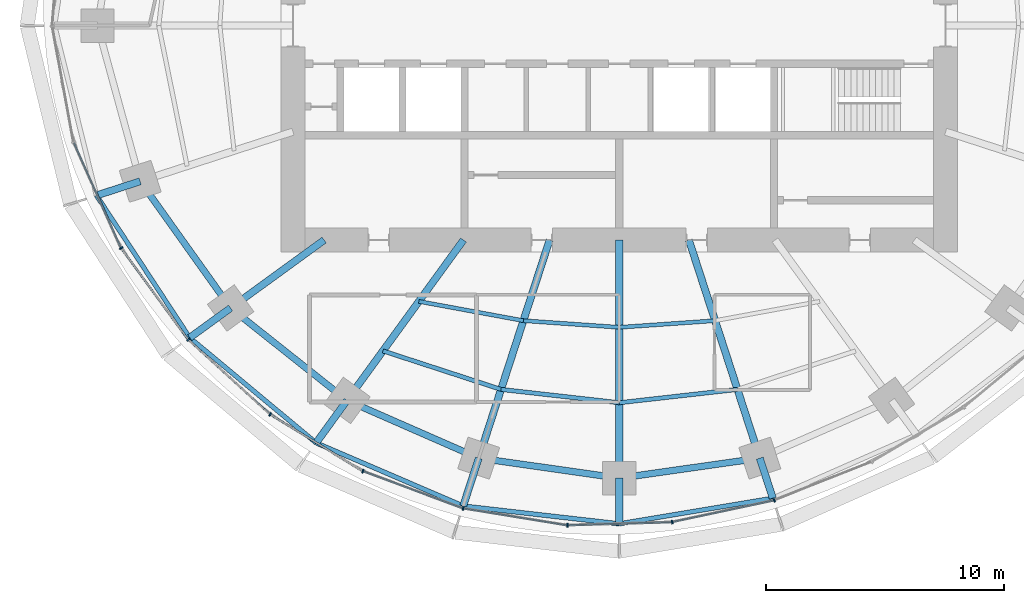
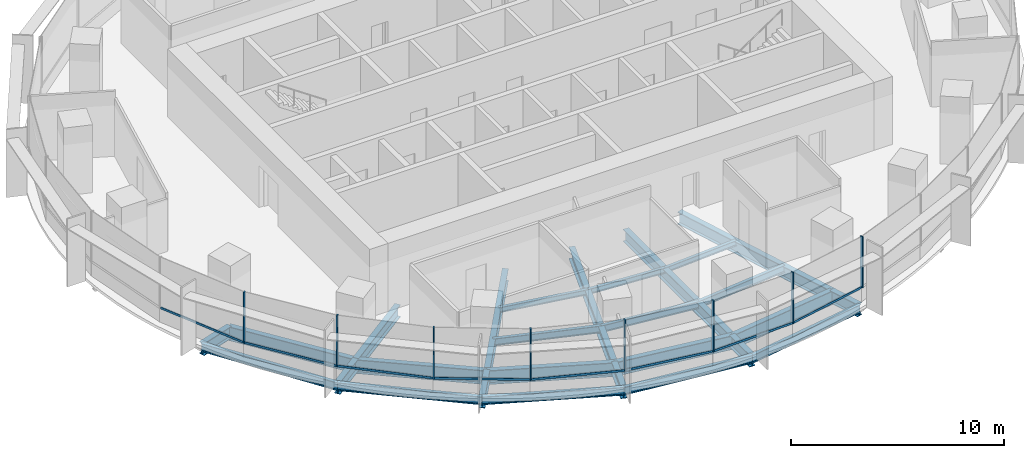
# One storey, part 2 of 14: 27 beams, 16 members, 2 elements without a shape of their own.
"""IFC4 building model written with IfcOpenShell, lengths in metres."""

import ifcopenshell
import ifcopenshell.guid

model = None  # the IFC model being written
_history = None  # IfcOwnerHistory: only IFC2X3 demands one
_inside = {}  # id of a spatial element -> (the spatial element, [elements in it])
_under = {}  # id of a project, library or spatial element -> (it, [spatial elements below it])
_declared = {}  # id of a project -> (the project, [libraries it declares])
_typed = {}  # id of a type object -> (the type object, [elements of that type])
_made_of = {}  # id of a material, layer set ... -> (it, [elements and type objects made of it])


def new_model(schema):
    """Start an empty IFC model of exactly this schema.

    Asked for "IFC4X3", IfcOpenShell would pick the latest addendum, in which some entities
    have other attributes; the version numbers below select the first issue.
    IFC2X3 requires an IfcOwnerHistory on every rooted entity: one is made here for all.
    """
    global model, _history
    if schema == "IFC4X3":
        model = ifcopenshell.file(schema_version=(4, 3, 0, 0))
    else:
        model = ifcopenshell.file(schema=schema)
    _inside.clear()
    _under.clear()
    _declared.clear()
    _typed.clear()
    _made_of.clear()
    _history = None
    if model.schema == "IFC2X3":
        org = make("IfcOrganization", Name="unknown")
        user = make(
            "IfcPersonAndOrganization",
            ThePerson=make("IfcPerson", FamilyName="unknown"),
            TheOrganization=org,
        )
        app = make(
            "IfcApplication",
            ApplicationDeveloper=org,
            Version="unknown",
            ApplicationFullName="unknown",
            ApplicationIdentifier="unknown",
        )
        _history = make(
            "IfcOwnerHistory",
            OwningUser=user,
            OwningApplication=app,
            ChangeAction="ADDED",
            CreationDate=0,
        )
    return model


def make(cls, **values):
    """One entity of the class cls with the attributes given. An attribute that is None is left unset."""
    return model.create_entity(
        cls, **{name: value for name, value in values.items() if value is not None}
    )


def rooted(cls, **values):
    """An entity with a GlobalId (a new one), such as an element, a storey or a relation."""
    return make(cls, GlobalId=ifcopenshell.guid.new(), OwnerHistory=_history, **values)


def si_unit(unit_type, name, prefix=None):
    """IfcSIUnit, for example si_unit("LENGTHUNIT", "METRE", prefix="MILLI")."""
    return make("IfcSIUnit", UnitType=unit_type, Prefix=prefix, Name=name)


def assignment(units):
    """IfcUnitAssignment: the units of a project."""
    return None if units is None else make("IfcUnitAssignment", Units=units)


def point(xyz):
    """IfcCartesianPoint."""
    return None if xyz is None else make("IfcCartesianPoint", Coordinates=xyz)


def direction(xyz):
    """IfcDirection."""
    return None if xyz is None else make("IfcDirection", DirectionRatios=xyz)


def frame(location, z_axis=None, x_axis=None):
    """IfcAxis2Placement3D, a coordinate frame: its origin and axes. An axis left out is left unset."""
    return make(
        "IfcAxis2Placement3D",
        Location=point(location),
        Axis=direction(z_axis),
        RefDirection=direction(x_axis),
    )


def frame_2d(location, x_axis=None):
    """IfcAxis2Placement2D, a coordinate frame in the plane: its origin and x axis."""
    return make(
        "IfcAxis2Placement2D", Location=point(location), RefDirection=direction(x_axis)
    )


def origin():
    """The frame at (0, 0, 0) with its axes left unset."""
    return frame((0.0, 0.0, 0.0))


def origin_2d():
    """The frame at (0, 0) in the plane with its x axis left unset."""
    return frame_2d((0.0, 0.0))


def place(relative_to, where):
    """IfcLocalPlacement: puts the frame where relative to a parent placement (None: the world)."""
    return make(
        "IfcLocalPlacement", PlacementRelTo=relative_to, RelativePlacement=where
    )


def context(
    kind, dimensions, precision=None, world=None, true_north=None, identifier=None
):
    """IfcGeometricRepresentationContext, for example the 3D "Model" context."""
    return make(
        "IfcGeometricRepresentationContext",
        ContextIdentifier=identifier,
        ContextType=kind,
        CoordinateSpaceDimension=dimensions,
        Precision=precision,
        WorldCoordinateSystem=world,
        TrueNorth=true_north,
    )


def subcontext(parent, identifier, kind, view, scale=None):
    """IfcGeometricRepresentationSubContext, for example "Body" below "Model"."""
    return make(
        "IfcGeometricRepresentationSubContext",
        ContextIdentifier=identifier,
        ContextType=kind,
        ParentContext=parent,
        TargetScale=scale,
        TargetView=view,
    )


def project(units=None, contexts=None):
    """IfcProject with its units and contexts."""
    return rooted(
        "IfcProject",
        Name="project",
        RepresentationContexts=contexts,
        UnitsInContext=assignment(units),
    )


def spatial(cls, under=None, at=None, **own):
    """A site, building, storey or space (cls), placed at a placement, below another one or the project."""
    s = rooted(cls, ObjectPlacement=at, **own)
    if under is not None:
        _under.setdefault(under.id(), (under, []))[1].append(s)
    return s


def profile(cls, at=None, kind="AREA", **sizes):
    """A parametric profile (cls). Its sizes go by their IFC names, for example OverallWidth=200.0."""
    return make(cls, ProfileType=kind, Position=at, **sizes)


def rectangle(**sizes):
    """IfcRectangleProfileDef."""
    return profile("IfcRectangleProfileDef", **sizes)


def i_section(**sizes):
    """IfcIShapeProfileDef."""
    return profile("IfcIShapeProfileDef", **sizes)


def extrude(swept, where, along, depth):
    """IfcExtrudedAreaSolid: the profile swept, set in the frame where, extruded along a direction by depth."""
    return make(
        "IfcExtrudedAreaSolid",
        SweptArea=swept,
        Position=where,
        ExtrudedDirection=direction(along),
        Depth=depth,
    )


def shape(context_of_items, identifier, shape_type, items):
    """IfcShapeRepresentation: the items that make up one representation, for example the "Body"."""
    return make(
        "IfcShapeRepresentation",
        ContextOfItems=context_of_items,
        RepresentationIdentifier=identifier,
        RepresentationType=shape_type,
        Items=items,
    )


def material(Name=None, Category=None):
    """IfcMaterial."""
    return make("IfcMaterial", Name=Name, Category=Category)


def material_profile(
    of_material, cross_section, Name=None, Category=None, Priority=None
):
    """IfcMaterialProfile: a cross section and its material."""
    return make(
        "IfcMaterialProfile",
        Name=Name,
        Material=of_material,
        Profile=cross_section,
        Priority=Priority,
        Category=Category,
    )


def profile_set(profiles, Name=None, composite=None):
    """IfcMaterialProfileSet."""
    return make(
        "IfcMaterialProfileSet",
        Name=Name,
        MaterialProfiles=profiles,
        CompositeProfile=composite,
    )


def made_of(thing, what):
    """Note that an element or type object is made of a material, layer set ...; save() writes the relation."""
    if what is not None:
        _made_of.setdefault(what.id(), (what, []))[1].append(thing)
    return thing


def type_object(cls, material=None, **own):
    """A type object (cls), such as IfcWallType, which elements share."""
    return made_of(rooted(cls, **own), material)


def element(
    cls,
    number,
    at=None,
    inside=None,
    cuts=None,
    type_object=None,
    material=None,
    context=None,
    identifier="Body",
    shape_type=None,
    held_by="IfcProductDefinitionShape",
    body=None,
    shapes=None,
    **own,
):
    """One element of the class cls, such as IfcWall. Its Tag is "e" and its number.

    at: its placement. inside: the storey or other place that contains it. cuts: it is an
    opening in that element (IfcRelVoidsElement). A single representation is given by context,
    identifier, shape_type and body (its items); several are given by shapes. held_by: the class
    of the entity that holds the representations. save() writes the other relations.
    """
    e = rooted(cls, Tag="e%d" % number, ObjectPlacement=at, **own)
    if body is not None:
        shapes = [shape(context, identifier, shape_type, body)]
    if shapes is not None:
        e.Representation = make(held_by, Representations=shapes)
    if inside is not None:
        _inside.setdefault(inside.id(), (inside, []))[1].append(e)
    if cuts is not None:
        rooted(
            "IfcRelVoidsElement", RelatingBuildingElement=cuts, RelatedOpeningElement=e
        )
    if type_object is not None:
        _typed.setdefault(type_object.id(), (type_object, []))[1].append(e)
    return made_of(e, material)


def aggregate(whole, parts):
    """IfcRelAggregates: a whole, such as a stair, and the parts it consists of."""
    return rooted("IfcRelAggregates", RelatingObject=whole, RelatedObjects=parts)


def save(model, path):
    """Write the relations noted so far, then the file.

    IfcRelAggregates (storeys below a building ...), IfcRelContainedInSpatialStructure (elements
    in a storey), IfcRelDefinesByType, IfcRelAssociatesMaterial and IfcRelDeclares: one each for
    every whole, place, type object, material and project.
    """
    for whole, parts in _under.values():
        aggregate(whole, parts)
    for where, things in _inside.values():
        rooted(
            "IfcRelContainedInSpatialStructure",
            RelatedElements=things,
            RelatingStructure=where,
        )
    for kind, things in _typed.values():
        rooted("IfcRelDefinesByType", RelatedObjects=things, RelatingType=kind)
    for what, things in _made_of.values():
        rooted("IfcRelAssociatesMaterial", RelatedObjects=things, RelatingMaterial=what)
    for by, libraries in _declared.values():
        rooted("IfcRelDeclares", RelatingContext=by, RelatedDefinitions=libraries)
    model.write(path)


model = new_model("IFC4")

# Units and contexts
model_context = context("Model", 3, precision=1e-05, world=origin(), true_north=direction((0.0, 1.0)))
body_context = subcontext(model_context, "Body", "Model", "MODEL_VIEW")
ifc_project = project(units=[si_unit("LENGTHUNIT", "METRE"), si_unit("AREAUNIT", "SQUARE_METRE"), si_unit("VOLUMEUNIT", "CUBIC_METRE"), si_unit("PLANEANGLEUNIT", "RADIAN"), si_unit("MASSUNIT", "GRAM", prefix="KILO")], contexts=[model_context])

# Site, building, storey
site_placement = place(None, origin())
site = spatial("IfcSite", under=ifc_project, at=site_placement, CompositionType="ELEMENT")
building_placement = place(site_placement, origin())
building = spatial("IfcBuilding", under=site, at=building_placement, Name="Marramba Exchange Tower", CompositionType="ELEMENT")
storey_placement = place(building_placement, frame((0.0, 0.0, 234.5)))
storey = spatial("IfcBuildingStorey", under=building, at=storey_placement, Name="L57", CompositionType="ELEMENT", Elevation=234.5)

# Beams
ifc_material_1 = material(Name="Steel AS/NZS 3679.2 grade 300", Category="steel")
ifc_material_profile_1 = material_profile(ifc_material_1, i_section(OverallWidth=0.300048828125, OverallDepth=0.699951171875, WebThickness=0.010009765625, FlangeThickness=0.031982421875, at=origin_2d()), Name="700WB173")
ifc_profile_set_1 = profile_set([ifc_material_profile_1], Name="Steel AS/NZS 3679.2 grade 300")
beam_type_1 = type_object("IfcBeamType", Name="Cantilever girder 700WB173", PredefinedType="BEAM", material=ifc_profile_set_1)
beam_1_placement = place(storey_placement, frame((-20.109375, -6.533935546875, -0.510009765625), z_axis=(-0.951071238541, -0.308971680287, 0.0), x_axis=(0.308971680287, -0.951071238541, 0.0)))
element("IfcBeam", 1, at=beam_1_placement, inside=storey, type_object=beam_type_1, Name="Cantilever girder L57 TC12", PredefinedType="BEAM", context=body_context, shape_type="SweptSolid", body=[
    extrude(i_section(OverallWidth=0.300048828125, OverallDepth=0.699951171875, WebThickness=0.010009765625, FlangeThickness=0.031982421875, at=origin_2d()), origin(), (0.0, 0.0, 1.0), 1.930419921875),
])
beam_2_placement = place(storey_placement, frame((-16.3154296875, -11.853759765625, -0.510009765625), z_axis=(-0.808969966943, -0.587849974555, 0.0), x_axis=(0.587849974555, -0.808969966943, 0.0)))
element("IfcBeam", 2, at=beam_2_placement, inside=storey, type_object=beam_type_1, Name="Cantilever girder L57 TC13", PredefinedType="BEAM", context=body_context, shape_type="SweptSolid", body=[
    extrude(i_section(OverallWidth=0.300048828125, OverallDepth=0.699951171875, WebThickness=0.010009765625, FlangeThickness=0.031982421875, at=origin_2d()), origin(), (0.0, 0.0, 1.0), 2.12109375),
])
beam_3_placement = place(storey_placement, frame((-11.430419921875, -15.732666015625, -0.510009765625), z_axis=(-0.587789596657, -0.809013837992, 0.0), x_axis=(0.809013837992, -0.587789596657, 0.0)))
element("IfcBeam", 3, at=beam_3_placement, inside=storey, type_object=beam_type_1, Name="Cantilever girder L57 TC14", PredefinedType="BEAM", context=body_context, shape_type="SweptSolid", body=[
    extrude(i_section(OverallWidth=0.300048828125, OverallDepth=0.699951171875, WebThickness=0.010009765625, FlangeThickness=0.031982421875, at=origin_2d()), origin(), (0.0, 0.0, 1.0), 2.203857421875),
])
beam_4_placement = place(storey_placement, frame((-5.899658203125, -18.156982421875, -0.510009765625), z_axis=(-0.308971068529, -0.951071437281, 0.0), x_axis=(0.951071437281, -0.308971068529, 0.0)))
element("IfcBeam", 4, at=beam_4_placement, inside=storey, type_object=beam_type_1, Name="Cantilever girder L57 TC15", PredefinedType="BEAM", context=body_context, shape_type="SweptSolid", body=[
    extrude(i_section(OverallWidth=0.300048828125, OverallDepth=0.699951171875, WebThickness=0.010009765625, FlangeThickness=0.031982421875, at=origin_2d()), origin(), (0.0, 0.0, 1.0), 2.112060546875),
])
beam_5_placement = place(storey_placement, frame((0.0, -18.99609375, -0.510009765625), z_axis=(0.0, -1.0, 0.0), x_axis=(1.0, 0.0, 0.0)))
element("IfcBeam", 5, at=beam_5_placement, inside=storey, type_object=beam_type_1, Name="Cantilever girder L57 TC16", PredefinedType="BEAM", context=body_context, shape_type="SweptSolid", body=[
    extrude(i_section(OverallWidth=0.300048828125, OverallDepth=0.699951171875, WebThickness=0.010009765625, FlangeThickness=0.031982421875, at=origin_2d()), origin(), (0.0, 0.0, 1.0), 1.917724609375),
])
beam_6_placement = place(storey_placement, frame((5.899658203125, -18.156982421875, -0.510009765625), z_axis=(0.308926813415, -0.951085813138, 0.0), x_axis=(0.951085813138, 0.308926813415, 0.0)))
element("IfcBeam", 6, at=beam_6_placement, inside=storey, type_object=beam_type_1, Name="Cantilever girder L57 TC17", PredefinedType="BEAM", context=body_context, shape_type="SweptSolid", body=[
    extrude(i_section(OverallWidth=0.300048828125, OverallDepth=0.699951171875, WebThickness=0.010009765625, FlangeThickness=0.031982421875, at=origin_2d()), origin(), (0.0, 0.0, 1.0), 1.767822265625),
])
ifc_material_2 = material(Name="Steel AS/NZS 3679.1 grade 300", Category="steel")
ifc_material_profile_2 = material_profile(ifc_material_2, i_section(OverallWidth=0.166015625, OverallDepth=0.306884765625, WebThickness=0.006591796875, FlangeThickness=0.01171875, FilletRadius=0.011474609375, at=origin_2d()), Name="310UB46.2")
ifc_profile_set_2 = profile_set([ifc_material_profile_2], Name="Steel AS/NZS 3679.1 grade 300")
beam_type_2 = type_object("IfcBeamType", Name="Floor joist 310UB46.2", PredefinedType="JOIST", material=ifc_profile_set_2)
beam_7_placement = place(storey_placement, frame((-8.41162109375, -11.57763671875, -0.3134765625), z_axis=(0.983455754421, -0.181148500119, 0.0), x_axis=(0.181148500119, 0.983455754421, 0.0)))
element("IfcBeam", 7, at=beam_7_placement, inside=storey, type_object=beam_type_2, Name="Joist L57 bay 14 row 1", PredefinedType="JOIST", context=body_context, shape_type="SweptSolid", body=[
    extrude(i_section(OverallWidth=0.166015625, OverallDepth=0.306884765625, WebThickness=0.006591796875, FlangeThickness=0.01171875, FilletRadius=0.011474609375, at=origin_2d()), origin(), (0.0, 0.0, 1.0), 4.4609375),
])
for number, where, z_axis, x_axis, name in (
    (8, (-4.0244140625, -12.3857421875, -0.3134765625), (0.99759625901, -0.069294328838, 0.0), (0.069294328838, 0.99759625901, 0.0), "Joist L57 bay 15 row 1"),
    (9, (0.0, -12.665283203125, -0.3134765625), (0.99759625901, 0.069294328838, 0.0), (-0.069294328838, 0.99759625901, 0.0), "Joist L57 bay 16 row 1"),
):
    element("IfcBeam", number, at=place(storey_placement, frame(where, z_axis=z_axis, x_axis=x_axis)), inside=storey, type_object=beam_type_2, Name=name, PredefinedType="JOIST", context=body_context, shape_type="SweptSolid", body=[
        extrude(i_section(OverallWidth=0.166015625, OverallDepth=0.306884765625, WebThickness=0.006591796875, FlangeThickness=0.01171875, FilletRadius=0.011474609375, at=origin_2d()), origin(), (0.0, 0.0, 1.0), 4.0341796875),
    ])
ifc_material_profile_3 = material_profile(ifc_material_2, i_section(OverallWidth=0.177978515625, OverallDepth=0.406005859375, WebThickness=0.0078125, FlangeThickness=0.0126953125, FilletRadius=0.011474609375, at=origin_2d()), Name="410UB59.7")
ifc_profile_set_3 = profile_set([ifc_material_profile_3], Name="Steel AS/NZS 3679.1 grade 300")
beam_type_3 = type_object("IfcBeamType", Name="Floor joist 410UB59.7", PredefinedType="JOIST", material=ifc_profile_set_3)
beam_8_placement = place(storey_placement, frame((-9.9208984375, -13.655029296875, -0.363037109375), z_axis=(0.950764024931, -0.309915744834, 0.0), x_axis=(0.309915744834, 0.950764024931, 0.0)))
element("IfcBeam", 10, at=beam_8_placement, inside=storey, type_object=beam_type_3, Name="Joist L57 bay 14 row 2", PredefinedType="JOIST", context=body_context, shape_type="SweptSolid", body=[
    extrude(i_section(OverallWidth=0.177978515625, OverallDepth=0.406005859375, WebThickness=0.0078125, FlangeThickness=0.0126953125, FilletRadius=0.011474609375, at=origin_2d()), origin(), (0.0, 0.0, 1.0), 5.2158203125),
])
for number, where, z_axis, x_axis, name in (
    (11, (-4.9619140625, -15.271484375, -0.363037109375), (0.993712018573, -0.111966174106, 0.0), (0.111966174106, 0.993712018573, 0.0), "Joist L57 bay 15 row 2"),
    (12, (0.0, -15.83056640625, -0.363037109375), (0.993712018573, 0.111966174106, 0.0), (-0.111966174106, 0.993712018573, 0.0), "Joist L57 bay 16 row 2"),
):
    element("IfcBeam", number, at=place(storey_placement, frame(where, z_axis=z_axis, x_axis=x_axis)), inside=storey, type_object=beam_type_3, Name=name, PredefinedType="JOIST", context=body_context, shape_type="SweptSolid", body=[
        extrude(i_section(OverallWidth=0.177978515625, OverallDepth=0.406005859375, WebThickness=0.0078125, FlangeThickness=0.0126953125, FilletRadius=0.011474609375, at=origin_2d()), origin(), (0.0, 0.0, 1.0), 4.993408203125),
    ])

# Curtain wall, members
ifc_material_3 = material(Name="Aluminium framing, bronze anodised", Category="aluminium")
curtain_wall_type = type_object("IfcCurtainWallType", Name="Office ribbon curtain wall", PredefinedType="USERDEFINED", material=ifc_material_3)
curtain_wall_1_placement = place(storey_placement, origin())
curtain_wall_1 = element("IfcCurtainWall", 13, at=curtain_wall_1_placement, inside=storey, type_object=curtain_wall_type, Name="Curtain wall CW4 L57 F16-F20", ObjectType="RIBBON CURTAIN WALL", PredefinedType="USERDEFINED")
ifc_material_4 = material(Name="Aluminium mullion, bronze anodised", Category="aluminium")
ifc_material_profile_4 = material_profile(ifc_material_4, rectangle(XDim=0.159912109375, YDim=0.06005859375, at=origin_2d()), Name="CW4 mullion 60x160")
ifc_profile_set_4 = profile_set([ifc_material_profile_4], Name="Aluminium mullion, bronze anodised")
member_type_1 = type_object("IfcMemberType", Name="Office ribbon curtain wall mullion", PredefinedType="MULLION", material=ifc_profile_set_4)
member_1_placement = place(storey_placement, frame((-20.910400390625, -9.342041015625, 0.800048828125), z_axis=(0.0, 0.0, 1.0), x_axis=(0.806508054547, 0.591223103363, 0.0)))
member_1 = element("IfcMember", 14, at=member_1_placement, type_object=member_type_1, Name="CW4 mullion 1", PredefinedType="MULLION", context=body_context, shape_type="SweptSolid", body=[
    extrude(rectangle(XDim=0.159912109375, YDim=0.06005859375, at=origin_2d()), origin(), (0.0, 0.0, 1.0), 2.93994140625),
])
member_2_placement = place(storey_placement, frame((-18.090087890625, -13.179443359375, 0.800048828125), z_axis=(0.0, 0.0, 1.0), x_axis=(0.67567103474, 0.737203264245, 0.0)))
member_2 = element("IfcMember", 15, at=member_2_placement, type_object=member_type_1, Name="CW4 mullion 1", PredefinedType="MULLION", context=body_context, shape_type="SweptSolid", body=[
    extrude(rectangle(XDim=0.159912109375, YDim=0.06005859375, at=origin_2d()), origin(), (0.0, 0.0, 1.0), 2.93994140625),
])
member_3_placement = place(storey_placement, frame((-14.655029296875, -16.320068359375, 0.800048828125), z_axis=(0.0, 0.0, 1.0), x_axis=(0.52305160869, 0.85230101176, 0.0)))
member_3 = element("IfcMember", 16, at=member_3_placement, type_object=member_type_1, Name="CW4 mullion 1", PredefinedType="MULLION", context=body_context, shape_type="SweptSolid", body=[
    extrude(rectangle(XDim=0.159912109375, YDim=0.06005859375, at=origin_2d()), origin(), (0.0, 0.0, 1.0), 2.93994140625),
])

curtain_wall_2_placement = place(storey_placement, origin())
curtain_wall_2 = element("IfcCurtainWall", 17, at=curtain_wall_2_placement, inside=storey, type_object=curtain_wall_type, Name="Curtain wall CW4 L57 F21-F25", ObjectType="RIBBON CURTAIN WALL", PredefinedType="USERDEFINED")
member_4_placement = place(storey_placement, frame((-10.76318359375, -18.70166015625, 0.800048828125), z_axis=(0.0, 0.0, 1.0), x_axis=(0.349459197687, 0.936951583142, 0.0)))
member_4 = element("IfcMember", 18, at=member_4_placement, type_object=member_type_1, Name="CW4 mullion 1", PredefinedType="MULLION", context=body_context, shape_type="SweptSolid", body=[
    extrude(rectangle(XDim=0.159912109375, YDim=0.06005859375, at=origin_2d()), origin(), (0.0, 0.0, 1.0), 2.93994140625),
])
member_5_placement = place(storey_placement, frame((-6.553466796875, -20.265625, 0.800048828125), z_axis=(0.0, 0.0, 1.0), x_axis=(0.161145726194, 0.986930623159, 0.0)))
member_5 = element("IfcMember", 19, at=member_5_placement, type_object=member_type_1, Name="CW4 mullion 1", PredefinedType="MULLION", context=body_context, shape_type="SweptSolid", body=[
    extrude(rectangle(XDim=0.159912109375, YDim=0.06005859375, at=origin_2d()), origin(), (0.0, 0.0, 1.0), 2.93994140625),
])
member_6_placement = place(storey_placement, frame((-2.174560546875, -20.974853515625, 0.800048828125), z_axis=(0.0, 0.0, 1.0), x_axis=(-0.029393451762, 0.99956791915, 0.0)))
member_6 = element("IfcMember", 20, at=member_6_placement, type_object=member_type_1, Name="CW4 mullion 1", PredefinedType="MULLION", context=body_context, shape_type="SweptSolid", body=[
    extrude(rectangle(XDim=0.159912109375, YDim=0.06005859375, at=origin_2d()), origin(), (0.0, 0.0, 1.0), 2.93994140625),
])
member_7_placement = place(storey_placement, frame((2.220458984375, -20.840087890625, 0.800048828125), z_axis=(0.0, 0.0, 1.0), x_axis=(-0.208332456608, 0.978058069607, 0.0)))
member_7 = element("IfcMember", 21, at=member_7_placement, type_object=member_type_1, Name="CW4 mullion 1", PredefinedType="MULLION", context=body_context, shape_type="SweptSolid", body=[
    extrude(rectangle(XDim=0.159912109375, YDim=0.06005859375, at=origin_2d()), origin(), (0.0, 0.0, 1.0), 2.93994140625),
])
member_8_placement = place(storey_placement, frame((6.504638671875, -19.922607421875, 0.800048828125), z_axis=(0.0, 0.0, 1.0), x_axis=(-0.367374724195, 0.93007301435, 0.0)))
member_8 = element("IfcMember", 22, at=member_8_placement, type_object=member_type_1, Name="CW4 mullion 1", PredefinedType="MULLION", context=body_context, shape_type="SweptSolid", body=[
    extrude(rectangle(XDim=0.159912109375, YDim=0.06005859375, at=origin_2d()), origin(), (0.0, 0.0, 1.0), 2.93994140625),
])

# Member
ifc_material_5 = material(Name="Aluminium transom, bronze anodised", Category="aluminium")
ifc_material_profile_5 = material_profile(ifc_material_5, rectangle(XDim=0.06005859375, YDim=0.1201171875, at=origin_2d()), Name="CW4 transom 60x120")
ifc_profile_set_5 = profile_set([ifc_material_profile_5], Name="Aluminium transom, bronze anodised")
member_type_2 = type_object("IfcMemberType", Name="Office ribbon curtain wall transom", PredefinedType="USERDEFINED", material=ifc_profile_set_5)
member_9_placement = place(storey_placement, frame((-22.888671875, -4.925048828125, 0.830078125), z_axis=(0.407541263131, -0.913186792965, 0.0), x_axis=(0.913186792965, 0.407541263131, 0.0)))
member_9 = element("IfcMember", 23, at=member_9_placement, type_object=member_type_2, Name="CW4 sill transom", ObjectType="TRANSOM", PredefinedType="USERDEFINED", context=body_context, shape_type="SweptSolid", body=[
    extrude(rectangle(XDim=0.06005859375, YDim=0.1201171875, at=origin_2d()), origin(), (0.0, 0.0, 1.0), 4.810546875),
])

member_10_placement = place(storey_placement, frame((-20.892578125, -9.3662109375, 0.830078125), z_axis=(0.591226373184, -0.806505657545, 0.0), x_axis=(0.806505657545, 0.591226373184, 0.0)))
member_10 = element("IfcMember", 24, at=member_10_placement, type_object=member_type_2, Name="CW4 sill transom", ObjectType="TRANSOM", PredefinedType="USERDEFINED", context=body_context, shape_type="SweptSolid", body=[
    extrude(rectangle(XDim=0.06005859375, YDim=0.1201171875, at=origin_2d()), origin(), (0.0, 0.0, 1.0), 4.702880859375),
])

member_11_placement = place(storey_placement, frame((-18.06787109375, -13.19970703125, 0.830078125), z_axis=(0.737176195283, -0.675700567639, 0.0), x_axis=(0.675700567639, 0.737176195283, 0.0)))
member_11 = element("IfcMember", 25, at=member_11_placement, type_object=member_type_2, Name="CW4 sill transom", ObjectType="TRANSOM", PredefinedType="USERDEFINED", context=body_context, shape_type="SweptSolid", body=[
    extrude(rectangle(XDim=0.06005859375, YDim=0.1201171875, at=origin_2d()), origin(), (0.0, 0.0, 1.0), 4.5947265625),
])

member_12_placement = place(storey_placement, frame((-14.62939453125, -16.335693359375, 0.830078125), z_axis=(0.852298011003, -0.523056498325, 0.0), x_axis=(0.523056498325, 0.852298011003, 0.0)))
member_12 = element("IfcMember", 26, at=member_12_placement, type_object=member_type_2, Name="CW4 sill transom", ObjectType="TRANSOM", PredefinedType="USERDEFINED", context=body_context, shape_type="SweptSolid", body=[
    extrude(rectangle(XDim=0.06005859375, YDim=0.1201171875, at=origin_2d()), origin(), (0.0, 0.0, 1.0), 4.503173828125),
])

aggregate(curtain_wall_1, [member_9, member_1, member_10, member_2, member_11, member_3, member_12])

member_13_placement = place(storey_placement, frame((-10.735107421875, -18.712158203125, 0.830078125), z_axis=(0.936954830677, -0.349450490444, 0.0), x_axis=(0.349450490444, 0.936954830677, 0.0)))
member_13 = element("IfcMember", 27, at=member_13_placement, type_object=member_type_2, Name="CW4 sill transom", ObjectType="TRANSOM", PredefinedType="USERDEFINED", context=body_context, shape_type="SweptSolid", body=[
    extrude(rectangle(XDim=0.06005859375, YDim=0.1201171875, at=origin_2d()), origin(), (0.0, 0.0, 1.0), 4.431396484375),
])

member_14_placement = place(storey_placement, frame((-6.52392578125, -20.2705078125, 0.830078125), z_axis=(0.986937225488, -0.161105285282, 0.0), x_axis=(0.161105285282, 0.986937225488, 0.0)))
member_14 = element("IfcMember", 28, at=member_14_placement, type_object=member_type_2, Name="CW4 sill transom", ObjectType="TRANSOM", PredefinedType="USERDEFINED", context=body_context, shape_type="SweptSolid", body=[
    extrude(rectangle(XDim=0.06005859375, YDim=0.1201171875, at=origin_2d()), origin(), (0.0, 0.0, 1.0), 4.37646484375),
])

member_15_placement = place(storey_placement, frame((-2.144775390625, -20.973876953125, 0.830078125), z_axis=(0.999568338005, 0.029379204529, 0.0), x_axis=(-0.029379204529, 0.999568338005, 0.0)))
member_15 = element("IfcMember", 29, at=member_15_placement, type_object=member_type_2, Name="CW4 sill transom", ObjectType="TRANSOM", PredefinedType="USERDEFINED", context=body_context, shape_type="SweptSolid", body=[
    extrude(rectangle(XDim=0.06005859375, YDim=0.1201171875, at=origin_2d()), origin(), (0.0, 0.0, 1.0), 4.337890625),
])

member_16_placement = place(storey_placement, frame((2.249755859375, -20.833984375, 0.830078125), z_axis=(0.978057951839, 0.208333009494, 0.0), x_axis=(-0.208333009494, 0.978057951839, 0.0)))
member_16 = element("IfcMember", 30, at=member_16_placement, type_object=member_type_2, Name="CW4 sill transom", ObjectType="TRANSOM", PredefinedType="USERDEFINED", context=body_context, shape_type="SweptSolid", body=[
    extrude(rectangle(XDim=0.06005859375, YDim=0.1201171875, at=origin_2d()), origin(), (0.0, 0.0, 1.0), 4.32177734375),
])

aggregate(curtain_wall_2, [member_4, member_13, member_5, member_14, member_6, member_15, member_7, member_16, member_8])

# Beams
ifc_material_profile_6 = material_profile(ifc_material_1, i_section(OverallWidth=0.300048828125, OverallDepth=0.699951171875, WebThickness=0.010009765625, FlangeThickness=0.031982421875, at=origin_2d()), Name="700WB173")
ifc_profile_set_6 = profile_set([ifc_material_profile_6], Name="Steel AS/NZS 3679.2 grade 300")
beam_type_4 = type_object("IfcBeamType", Name="Radial girder 700WB173", PredefinedType="BEAM", material=ifc_profile_set_6)
beam_9_placement = place(storey_placement, frame((-12.387451171875, -9.0, -0.510009765625), z_axis=(-0.809025189606, -0.58777397236, 0.0), x_axis=(0.58777397236, -0.809025189606, 0.0)))
element("IfcBeam", 31, at=beam_9_placement, inside=storey, type_object=beam_type_4, Name="Radial girder L57 TC13", PredefinedType="BEAM", context=body_context, shape_type="SweptSolid", body=[
    extrude(i_section(OverallWidth=0.300048828125, OverallDepth=0.699951171875, WebThickness=0.010009765625, FlangeThickness=0.031982421875, at=origin_2d()), origin(), (0.0, 0.0, 1.0), 4.855224609375),
])
beam_10_placement = place(storey_placement, frame((-6.538818359375, -9.0, -0.510009765625), z_axis=(-0.587787877172, -0.809015087282, 0.0), x_axis=(0.809015087282, -0.587787877172, 0.0)))
element("IfcBeam", 32, at=beam_10_placement, inside=storey, type_object=beam_type_4, Name="Radial girder L57 TC14", PredefinedType="BEAM", context=body_context, shape_type="SweptSolid", body=[
    extrude(i_section(OverallWidth=0.300048828125, OverallDepth=0.699951171875, WebThickness=0.010009765625, FlangeThickness=0.031982421875, at=origin_2d()), origin(), (0.0, 0.0, 1.0), 8.322021484375),
])
beam_11_placement = place(storey_placement, frame((-2.92431640625, -9.0, -0.510009765625), z_axis=(-0.309022428985, -0.951054750466, 0.0), x_axis=(0.951054750466, -0.309022428985, 0.0)))
element("IfcBeam", 33, at=beam_11_placement, inside=storey, type_object=beam_type_4, Name="Radial girder L57 TC15", PredefinedType="BEAM", context=body_context, shape_type="SweptSolid", body=[
    extrude(i_section(OverallWidth=0.300048828125, OverallDepth=0.699951171875, WebThickness=0.010009765625, FlangeThickness=0.031982421875, at=origin_2d()), origin(), (0.0, 0.0, 1.0), 9.628173828125),
])
beam_12_placement = place(storey_placement, frame((0.0, -9.0, -0.510009765625), z_axis=(0.0, -1.0, 0.0), x_axis=(1.0, 0.0, 0.0)))
element("IfcBeam", 34, at=beam_12_placement, inside=storey, type_object=beam_type_4, Name="Radial girder L57 TC16", PredefinedType="BEAM", context=body_context, shape_type="SweptSolid", body=[
    extrude(i_section(OverallWidth=0.300048828125, OverallDepth=0.699951171875, WebThickness=0.010009765625, FlangeThickness=0.031982421875, at=origin_2d()), origin(), (0.0, 0.0, 1.0), 9.99609375),
])
beam_13_placement = place(storey_placement, frame((2.92431640625, -9.0, -0.510009765625), z_axis=(0.309022428985, -0.951054750466, 0.0), x_axis=(0.951054750466, 0.309022428985, 0.0)))
element("IfcBeam", 35, at=beam_13_placement, inside=storey, type_object=beam_type_4, Name="Radial girder L57 TC17", PredefinedType="BEAM", context=body_context, shape_type="SweptSolid", body=[
    extrude(i_section(OverallWidth=0.300048828125, OverallDepth=0.699951171875, WebThickness=0.010009765625, FlangeThickness=0.031982421875, at=origin_2d()), origin(), (0.0, 0.0, 1.0), 9.628173828125),
])
ifc_material_profile_7 = material_profile(ifc_material_1, i_section(OverallWidth=0.27490234375, OverallDepth=0.800048828125, WebThickness=0.010009765625, FlangeThickness=0.02490234375, at=origin_2d()), Name="800WB168")
ifc_profile_set_7 = profile_set([ifc_material_profile_7], Name="Steel AS/NZS 3679.2 grade 300")
beam_type_5 = type_object("IfcBeamType", Name="Ring beam 800WB168", PredefinedType="SPANDREL", material=ifc_profile_set_7)
beam_14_placement = place(storey_placement, frame((-20.109375, -6.533935546875, -0.56005859375), z_axis=(0.580637181111, -0.814162430914, 0.0), x_axis=(0.814162430914, 0.580637181111, 0.0)))
element("IfcBeam", 36, at=beam_14_placement, inside=storey, type_object=beam_type_5, Name="Ring beam L57 TC12-TC13", PredefinedType="SPANDREL", context=body_context, shape_type="SweptSolid", body=[
    extrude(i_section(OverallWidth=0.27490234375, OverallDepth=0.800048828125, WebThickness=0.010009765625, FlangeThickness=0.02490234375, at=origin_2d()), origin(), (0.0, 0.0, 1.0), 6.5341796875),
])
beam_15_placement = place(storey_placement, frame((-16.3154296875, -11.853759765625, -0.56005859375), z_axis=(0.783139438128, -0.621846138887, 0.0), x_axis=(0.621846138887, 0.783139438128, 0.0)))
element("IfcBeam", 37, at=beam_15_placement, inside=storey, type_object=beam_type_5, Name="Ring beam L57 TC13-TC14", PredefinedType="SPANDREL", context=body_context, shape_type="SweptSolid", body=[
    extrude(i_section(OverallWidth=0.27490234375, OverallDepth=0.800048828125, WebThickness=0.010009765625, FlangeThickness=0.02490234375, at=origin_2d()), origin(), (0.0, 0.0, 1.0), 6.23779296875),
])
beam_16_placement = place(storey_placement, frame((-11.430419921875, -15.732666015625, -0.56005859375), z_axis=(0.915876892158, -0.4014592363, 0.0), x_axis=(0.4014592363, 0.915876892158, 0.0)))
element("IfcBeam", 38, at=beam_16_placement, inside=storey, type_object=beam_type_5, Name="Ring beam L57 TC14-TC15", PredefinedType="SPANDREL", context=body_context, shape_type="SweptSolid", body=[
    extrude(i_section(OverallWidth=0.27490234375, OverallDepth=0.800048828125, WebThickness=0.010009765625, FlangeThickness=0.02490234375, at=origin_2d()), origin(), (0.0, 0.0, 1.0), 6.038818359375),
])
for number, where, z_axis, x_axis, name in (
    (39, (-5.899658203125, -18.156982421875, -0.56005859375), (0.990036163016, -0.140813337152, 0.0), (0.140813337152, 0.990036163016, 0.0), "Ring beam L57 TC15-TC16"),
    (40, (0.0, -18.99609375, -0.56005859375), (0.990036163016, 0.140813337152, 0.0), (-0.140813337152, 0.990036163016, 0.0), "Ring beam L57 TC16-TC17"),
):
    element("IfcBeam", number, at=place(storey_placement, frame(where, z_axis=z_axis, x_axis=x_axis)), inside=storey, type_object=beam_type_5, Name=name, PredefinedType="SPANDREL", context=body_context, shape_type="SweptSolid", body=[
        extrude(i_section(OverallWidth=0.27490234375, OverallDepth=0.800048828125, WebThickness=0.010009765625, FlangeThickness=0.02490234375, at=origin_2d()), origin(), (0.0, 0.0, 1.0), 5.958984375),
    ])
ifc_material_profile_8 = material_profile(ifc_material_2, i_section(OverallWidth=0.19091796875, OverallDepth=0.4599609375, WebThickness=0.010009765625, FlangeThickness=0.01611328125, FilletRadius=0.011474609375, at=origin_2d()), Name="460UB82.1")
ifc_profile_set_8 = profile_set([ifc_material_profile_8], Name="Steel AS/NZS 3679.1 grade 300")
beam_type_6 = type_object("IfcBeamType", Name="Slab edge beam 460UB82.1", PredefinedType="SPANDREL", material=ifc_profile_set_8)
beam_17_placement = place(storey_placement, frame((-21.9453125, -7.13037109375, -0.389892578125), z_axis=(0.548275412052, -0.83629783722, 0.0), x_axis=(0.83629783722, 0.548275412052, 0.0)))
element("IfcBeam", 41, at=beam_17_placement, inside=storey, type_object=beam_type_6, Name="Slab edge beam L57 TC12-TC13", PredefinedType="SPANDREL", context=body_context, shape_type="SweptSolid", body=[
    extrude(i_section(OverallWidth=0.19091796875, OverallDepth=0.4599609375, WebThickness=0.010009765625, FlangeThickness=0.01611328125, FilletRadius=0.011474609375, at=origin_2d()), origin(), (0.0, 0.0, 1.0), 7.138916015625),
])
beam_18_placement = place(storey_placement, frame((-18.03125, -13.1005859375, -0.389892578125), z_axis=(0.768658895231, -0.639658895649, 0.0), x_axis=(0.639658895649, 0.768658895231, 0.0)))
element("IfcBeam", 42, at=beam_18_placement, inside=storey, type_object=beam_type_6, Name="Slab edge beam L57 TC13-TC14", PredefinedType="SPANDREL", context=body_context, shape_type="SweptSolid", body=[
    extrude(i_section(OverallWidth=0.19091796875, OverallDepth=0.4599609375, WebThickness=0.010009765625, FlangeThickness=0.01611328125, FilletRadius=0.011474609375, at=origin_2d()), origin(), (0.0, 0.0, 1.0), 6.902099609375),
])
beam_19_placement = place(storey_placement, frame((-12.725830078125, -17.515625, -0.389892578125), z_axis=(0.9189117964, -0.394463065999, 0.0), x_axis=(0.394463065999, 0.9189117964, 0.0)))
element("IfcBeam", 43, at=beam_19_placement, inside=storey, type_object=beam_type_6, Name="Slab edge beam L57 TC14-TC15", PredefinedType="SPANDREL", context=body_context, shape_type="SweptSolid", body=[
    extrude(i_section(OverallWidth=0.19091796875, OverallDepth=0.4599609375, WebThickness=0.010009765625, FlangeThickness=0.01611328125, FilletRadius=0.011474609375, at=origin_2d()), origin(), (0.0, 0.0, 1.0), 6.71826171875),
])
beam_20_placement = place(storey_placement, frame((-6.55224609375, -20.165771484375, -0.389892578125), z_axis=(0.993546030009, -0.113429653325, 0.0), x_axis=(0.113429653325, 0.993546030009, 0.0)))
element("IfcBeam", 44, at=beam_20_placement, inside=storey, type_object=beam_type_6, Name="Slab edge beam L57 TC15-TC16", PredefinedType="SPANDREL", context=body_context, shape_type="SweptSolid", body=[
    extrude(i_section(OverallWidth=0.19091796875, OverallDepth=0.4599609375, WebThickness=0.010009765625, FlangeThickness=0.01611328125, FilletRadius=0.011474609375, at=origin_2d()), origin(), (0.0, 0.0, 1.0), 6.5947265625),
])
beam_21_placement = place(storey_placement, frame((0.0, -20.913818359375, -0.389892578125), z_axis=(0.986365637189, 0.164568617219, 0.0), x_axis=(-0.164568617219, 0.986365637189, 0.0)))
element("IfcBeam", 45, at=beam_21_placement, inside=storey, type_object=beam_type_6, Name="Slab edge beam L57 TC16-TC17", PredefinedType="SPANDREL", context=body_context, shape_type="SweptSolid", body=[
    extrude(i_section(OverallWidth=0.19091796875, OverallDepth=0.4599609375, WebThickness=0.010009765625, FlangeThickness=0.01611328125, FilletRadius=0.011474609375, at=origin_2d()), origin(), (0.0, 0.0, 1.0), 6.534912109375),
])

save(model, "model.ifc")
